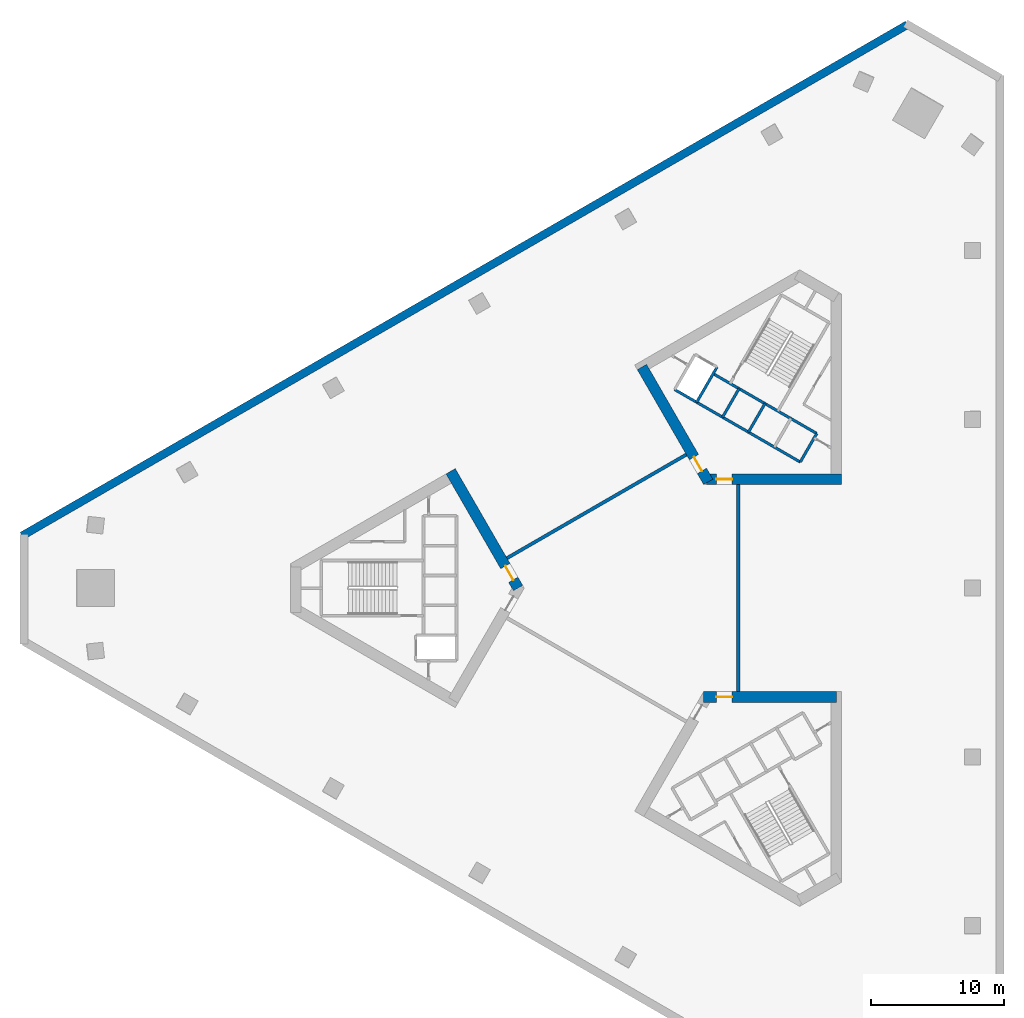
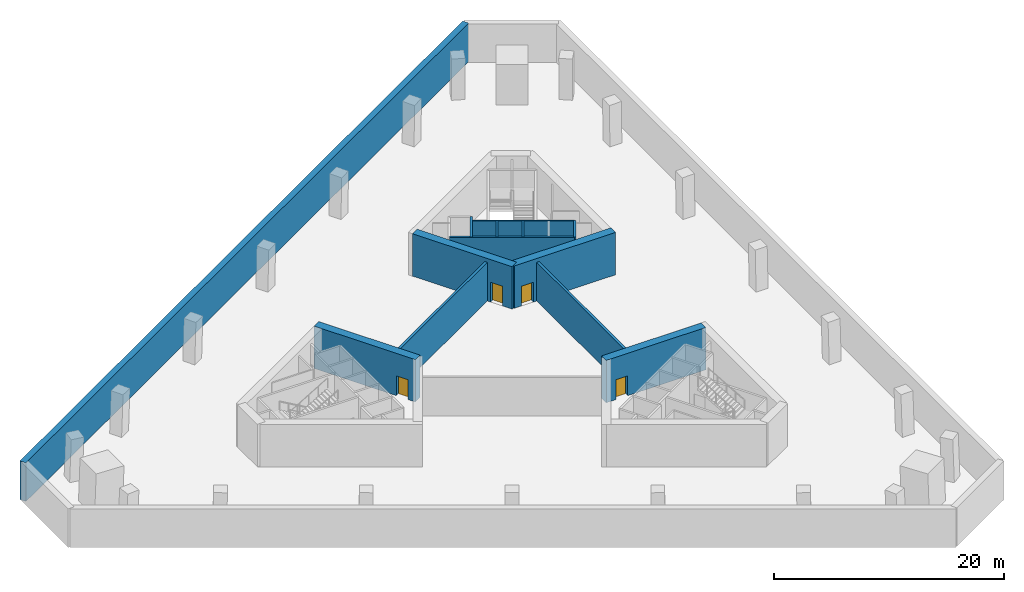
# One storey, part 3 of 6: 13 walls, 4 doors, 4 openings.
"""IFC4 building model written with IfcOpenShell, lengths in metres."""

from ifc_helpers import new_model, si_unit, direction, frame, frame_2d, origin, place, context, subcontext, project, spatial, rectangle, extrude, material, layer, layer_set, type_object, element, fill, save


model = new_model("IFC4")

# Units and contexts
model_context = context("Model", 3, precision=1e-05, world=origin(), true_north=direction((0.0, 1.0)))
body_context = subcontext(model_context, "Body", "Model", "MODEL_VIEW")
ifc_project = project(units=[si_unit("LENGTHUNIT", "METRE"), si_unit("AREAUNIT", "SQUARE_METRE"), si_unit("VOLUMEUNIT", "CUBIC_METRE"), si_unit("PLANEANGLEUNIT", "RADIAN"), si_unit("MASSUNIT", "GRAM", prefix="KILO")], contexts=[model_context])

# Site, building, storey
site_placement = place(None, origin())
site = spatial("IfcSite", under=ifc_project, at=site_placement, CompositionType="ELEMENT")
building_placement = place(site_placement, origin())
building = spatial("IfcBuilding", under=site, at=building_placement, Name="Jabali Bay Hotel Tower and Convention Centre", CompositionType="ELEMENT")
storey_placement = place(building_placement, frame((0.0, 0.0, -4.5)))
storey = spatial("IfcBuildingStorey", under=building, at=storey_placement, Name="B1", CompositionType="ELEMENT", Elevation=-4.5)

# Walls
ifc_material_1 = material(Name="Concrete C40", Category="concrete")
ifc_layer_1 = layer(ifc_material_1, 0.199951171875)
ifc_layer_set_1 = layer_set([ifc_layer_1], Name="Concrete C40")
wall_type_1 = type_object("IfcWallType", Name="Core stair wall 200", PredefinedType="SOLIDWALL", material=ifc_layer_set_1)
for number, where, z_axis, x_axis, name in (
    (1, (86.769775390625, 89.48583984375, 0.0), (0.0, 0.0, 1.0), (0.499961042966, 0.86604789447, 0.0), "Core wall 1.0 B1"),
    (2, (82.872802734375, 91.73583984375, 0.0), (0.0, 0.0, 1.0), (0.499961042966, 0.86604789447, 0.0), "Core wall 1.4 B1"),
    (3, (80.924072265625, 92.86083984375, 0.0), (0.0, 0.0, 1.0), (0.499961042966, 0.86604789447, 0.0), "Core wall 1.6 B1"),
):
    element("IfcWall", number, at=place(storey_placement, frame(where, z_axis=z_axis, x_axis=x_axis)), inside=storey, type_object=wall_type_1, Name=name, PredefinedType="SOLIDWALL", context=body_context, shape_type="SweptSolid", body=[
        extrude(rectangle(XDim=2.480224609375, YDim=0.199951171875, at=frame_2d((1.240234375, 0.0))), origin(), (0.0, 0.0, 1.0), 4.10009765625),
    ])
wall_1_placement = place(storey_placement, frame((78.9755859375, 93.98583984375, 0.0), z_axis=(0.0, 0.0, 1.0), x_axis=(0.499944174705, 0.866057632134, 0.0)))
element("IfcWall", 4, at=wall_1_placement, inside=storey, type_object=wall_type_1, Name="Core wall 1.8 B1", PredefinedType="SOLIDWALL", context=body_context, shape_type="SweptSolid", body=[
    extrude(rectangle(XDim=3.050048828125, YDim=0.199951171875, at=frame_2d((1.52490234375, 0.0))), origin(), (0.0, 0.0, 1.0), 4.10009765625),
])
wall_2_placement = place(storey_placement, frame((86.769775390625, 89.48583984375, 0.0), z_axis=(0.0, 0.0, 1.0), x_axis=(-0.86601811187, 0.500012629753, 0.0)))
element("IfcWall", 5, at=wall_2_placement, inside=storey, type_object=wall_type_1, Name="Core wall 1.10 B1", PredefinedType="SOLIDWALL", context=body_context, shape_type="SweptSolid", body=[
    extrude(rectangle(XDim=10.900146484375, YDim=0.199951171875, at=frame_2d((5.4501953125, 0.0))), origin(), (0.0, 0.0, 1.0), 4.10009765625),
])
wall_3_placement = place(storey_placement, frame((88.009765625, 91.6337890625, 0.0), z_axis=(0.0, 0.0, 1.0), x_axis=(-0.866024315419, 0.5000018851, 0.0)))
element("IfcWall", 6, at=wall_3_placement, inside=storey, type_object=wall_type_1, Name="Core wall 1.13 B1", PredefinedType="SOLIDWALL", context=body_context, shape_type="SweptSolid", body=[
    extrude(rectangle(XDim=9.0, YDim=0.199951171875, at=frame_2d((4.5, 0.0))), origin(), (0.0, 0.0, 1.0), 4.10009765625),
])

# Wall, opening, door
ifc_material_2 = material(Name="Concrete C60", Category="concrete")
ifc_layer_2 = layer(ifc_material_2, 0.800048828125)
ifc_layer_set_2 = layer_set([ifc_layer_2], Name="Concrete C60")
wall_type_2 = type_object("IfcWallType", Name="Core wall 800", PredefinedType="SHEAR", material=ifc_layer_set_2)
wall_4_placement = place(storey_placement, frame((65.5380859375, 80.0, 0.0), z_axis=(0.0, 0.0, 1.0), x_axis=(-0.49999662545, 0.866027352073, 0.0)))
wall_4 = element("IfcWall", 7, at=wall_4_placement, inside=storey, type_object=wall_type_2, Name="Core wall 1.1 B1", PredefinedType="SHEAR", context=body_context, shape_type="SweptSolid", body=[
    extrude(rectangle(XDim=10.14892578125, YDim=0.800048828125, at=frame_2d((5.074462890625, 0.0))), origin(), (0.0, 0.0, 1.0), 4.5),
])
opening_1_placement = place(wall_4_placement, frame((0.718994140625, 0.0, 0.0)))
opening_1 = element("IfcOpeningElement", 8, at=opening_1_placement, cuts=wall_4, Name="Opening D88", PredefinedType="OPENING", context=body_context, shape_type="SweptSolid", body=[
    extrude(rectangle(XDim=1.199951171875, YDim=2.10009765625, at=frame_2d((0.60009765625, 1.050048828125))), frame((0.0, 0.41064453125, 0.0), z_axis=(0.0, -1.0, 0.0), x_axis=(1.0, 0.0, 0.0)), (0.0, 0.0, 1.0), 0.821044921875),
])
ifc_material_3 = material(Name="Fire-rated steel door", Category="steel")
door_type = type_object("IfcDoorType", Name="Corridor end fire door 1200 x 2100", OperationType="NOTDEFINED", PredefinedType="NOTDEFINED", material=ifc_material_3)
door_1_placement = place(opening_1_placement, origin())
door_1 = element("IfcDoor", 9, at=door_1_placement, inside=storey, type_object=door_type, Name="Corridor end fire door D88", OperationType="SINGLE_SWING_RIGHT", OverallHeight=2.10009765625, OverallWidth=1.199951171875, PredefinedType="NOTDEFINED", context=body_context, shape_type="SweptSolid", body=[
    extrude(rectangle(XDim=1.199951171875, YDim=2.10009765625, at=frame_2d((0.60009765625, 1.050048828125))), frame((0.0, 0.02490234375, 0.0), z_axis=(0.0, -1.0, 0.0), x_axis=(1.0, 0.0, 0.0)), (0.0, 0.0, 1.0), 0.050048828125),
])
fill(opening_1, door_1)

wall_5_placement = place(storey_placement, frame((79.73095703125, 88.1943359375, 0.0), z_axis=(0.0, 0.0, 1.0), x_axis=(1.0, 0.0, 0.0)))
wall_5 = element("IfcWall", 10, at=wall_5_placement, inside=storey, type_object=wall_type_2, Name="Core wall 2.1 B1", PredefinedType="SHEAR", context=body_context, shape_type="SweptSolid", body=[
    extrude(rectangle(XDim=10.14892578125, YDim=0.800048828125, at=frame_2d((5.074462890625, 0.0))), origin(), (0.0, 0.0, 1.0), 4.5),
])
opening_2_placement = place(wall_5_placement, frame((0.718994140625, 0.0, 0.0)))
opening_2 = element("IfcOpeningElement", 11, at=opening_2_placement, cuts=wall_5, Name="Opening D94", PredefinedType="OPENING", context=body_context, shape_type="SweptSolid", body=[
    extrude(rectangle(XDim=1.199951171875, YDim=2.10009765625, at=frame_2d((0.60009765625, 1.050048828125))), frame((0.0, 0.41064453125, 0.0), z_axis=(0.0, -1.0, 0.0), x_axis=(1.0, 0.0, 0.0)), (0.0, 0.0, 1.0), 0.821044921875),
])
door_2_placement = place(opening_2_placement, origin())
door_2 = element("IfcDoor", 12, at=door_2_placement, inside=storey, type_object=door_type, Name="Corridor end fire door D94", OperationType="SINGLE_SWING_RIGHT", OverallHeight=2.10009765625, OverallWidth=1.199951171875, PredefinedType="NOTDEFINED", context=body_context, shape_type="SweptSolid", body=[
    extrude(rectangle(XDim=1.199951171875, YDim=2.10009765625, at=frame_2d((0.60009765625, 1.050048828125))), frame((0.0, 0.02490234375, 0.0), z_axis=(0.0, -1.0, 0.0), x_axis=(1.0, 0.0, 0.0)), (0.0, 0.0, 1.0), 0.050048828125),
])
fill(opening_2, door_2)

wall_6_placement = place(storey_placement, frame((74.8564453125, 96.63720703125, 0.0), z_axis=(0.0, 0.0, 1.0), x_axis=(0.499993500917, -0.866029155999, 0.0)))
wall_6 = element("IfcWall", 13, at=wall_6_placement, inside=storey, type_object=wall_type_2, Name="Core wall 2.5 B1", PredefinedType="SHEAR", context=body_context, shape_type="SweptSolid", body=[
    extrude(rectangle(XDim=9.980224609375, YDim=0.800048828125, at=frame_2d((4.990234375, 0.0))), origin(), (0.0, 0.0, 1.0), 4.5),
])
opening_3_placement = place(wall_6_placement, frame((7.830078125, 0.0, 0.0)))
opening_3 = element("IfcOpeningElement", 14, at=opening_3_placement, cuts=wall_6, Name="Opening D95", PredefinedType="OPENING", context=body_context, shape_type="SweptSolid", body=[
    extrude(rectangle(XDim=1.199951171875, YDim=2.10009765625, at=frame_2d((0.60009765625, 1.050048828125))), frame((0.0, 0.41064453125, 0.0), z_axis=(0.0, -1.0, 0.0), x_axis=(1.0, 0.0, 0.0)), (0.0, 0.0, 1.0), 0.821044921875),
])
door_3_placement = place(opening_3_placement, origin())
door_3 = element("IfcDoor", 15, at=door_3_placement, inside=storey, type_object=door_type, Name="Corridor end fire door D95", OperationType="SINGLE_SWING_LEFT", OverallHeight=2.10009765625, OverallWidth=1.199951171875, PredefinedType="NOTDEFINED", context=body_context, shape_type="SweptSolid", body=[
    extrude(rectangle(XDim=1.199951171875, YDim=2.10009765625, at=frame_2d((0.60009765625, 1.050048828125))), frame((0.0, 0.02490234375, 0.0), z_axis=(0.0, -1.0, 0.0), x_axis=(1.0, 0.0, 0.0)), (0.0, 0.0, 1.0), 0.050048828125),
])
fill(opening_3, door_3)

wall_7_placement = place(storey_placement, frame((89.47998046875, 71.8056640625, 0.0), z_axis=(0.0, 0.0, 1.0), x_axis=(-1.0, 0.0, 0.0)))
wall_7 = element("IfcWall", 16, at=wall_7_placement, inside=storey, type_object=wall_type_2, Name="Core wall 3.5 B1", PredefinedType="SHEAR", context=body_context, shape_type="SweptSolid", body=[
    extrude(rectangle(XDim=9.97998046875, YDim=0.800048828125, at=frame_2d((4.989990234375, 0.0))), origin(), (0.0, 0.0, 1.0), 4.5),
])
opening_4_placement = place(wall_7_placement, frame((7.830078125, 0.0, 0.0)))
opening_4 = element("IfcOpeningElement", 17, at=opening_4_placement, cuts=wall_7, Name="Opening D101", PredefinedType="OPENING", context=body_context, shape_type="SweptSolid", body=[
    extrude(rectangle(XDim=1.199951171875, YDim=2.10009765625, at=frame_2d((0.60009765625, 1.050048828125))), frame((0.0, 0.41064453125, 0.0), z_axis=(0.0, -1.0, 0.0), x_axis=(1.0, 0.0, 0.0)), (0.0, 0.0, 1.0), 0.821044921875),
])
door_4_placement = place(opening_4_placement, origin())
door_4 = element("IfcDoor", 18, at=door_4_placement, inside=storey, type_object=door_type, Name="Corridor end fire door D101", OperationType="SINGLE_SWING_LEFT", OverallHeight=2.10009765625, OverallWidth=1.199951171875, PredefinedType="NOTDEFINED", context=body_context, shape_type="SweptSolid", body=[
    extrude(rectangle(XDim=1.199951171875, YDim=2.10009765625, at=frame_2d((0.60009765625, 1.050048828125))), frame((0.0, 0.02490234375, 0.0), z_axis=(0.0, -1.0, 0.0), x_axis=(1.0, 0.0, 0.0)), (0.0, 0.0, 1.0), 0.050048828125),
])
fill(opening_4, door_4)

# Walls
ifc_layer_3 = layer(ifc_material_2, 0.25)
ifc_layer_set_3 = layer_set([ifc_layer_3], Name="Concrete C60")
wall_type_3 = type_object("IfcWallType", Name="Corridor wall 250", PredefinedType="SHEAR", material=ifc_layer_set_3)
for number, where, z_axis, x_axis, name in (
    (19, (82.10009765625, 72.205810546875, 0.0), (0.0, 0.0, 1.0), (0.0, 1.0, 0.0), "Corridor wall 1 B1"),
    (20, (78.199951171875, 90.0458984375, 0.0), (0.0, 0.0, 1.0), (-0.866026492143, -0.499998114903, 0.0), "Corridor wall 2 B1"),
):
    element("IfcWall", number, at=place(storey_placement, frame(where, z_axis=z_axis, x_axis=x_axis)), inside=storey, type_object=wall_type_3, Name=name, PredefinedType="SHEAR", context=body_context, shape_type="SweptSolid", body=[
        extrude(rectangle(XDim=15.58837890625, YDim=0.25, at=frame_2d((7.794189453125, 0.0))), origin(), (0.0, 0.0, 1.0), 4.10009765625),
    ])
ifc_layer_4 = layer(ifc_material_1, 0.60009765625)
ifc_layer_set_4 = layer_set([ifc_layer_4], Name="Concrete C40")
wall_type_4 = type_object("IfcWallType", Name="Retaining wall 600", PredefinedType="SOLIDWALL", material=ifc_layer_set_4)
wall_8_placement = place(storey_placement, frame((94.83984375, 122.400390625, 0.0), z_axis=(0.0, 0.0, 1.0), x_axis=(-0.866026157749, -0.499998694092, 0.0)))
element("IfcWall", 21, at=wall_8_placement, inside=storey, type_object=wall_type_4, Name="Retaining wall B1 3", PredefinedType="SOLIDWALL", context=body_context, shape_type="SweptSolid", body=[
    extrude(rectangle(XDim=76.937255859375, YDim=0.60009765625, at=frame_2d((38.46875, 0.0))), origin(), (0.0, 0.0, 1.0), 4.10009765625),
])

save(model, "model.ifc")
